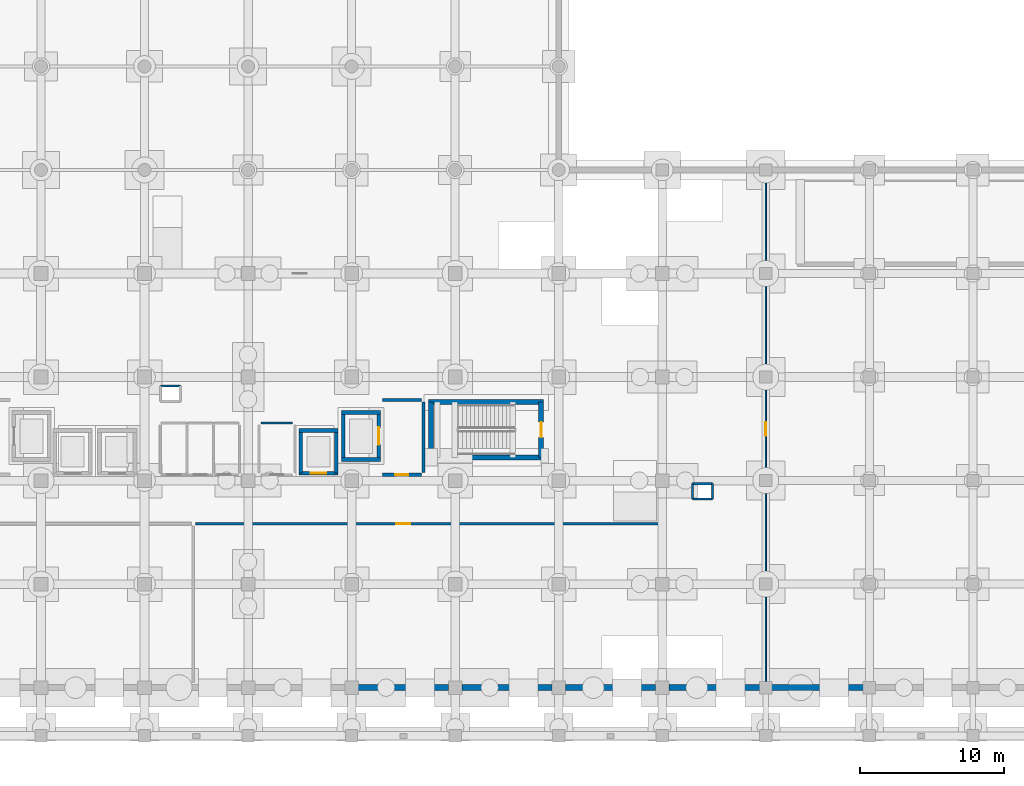
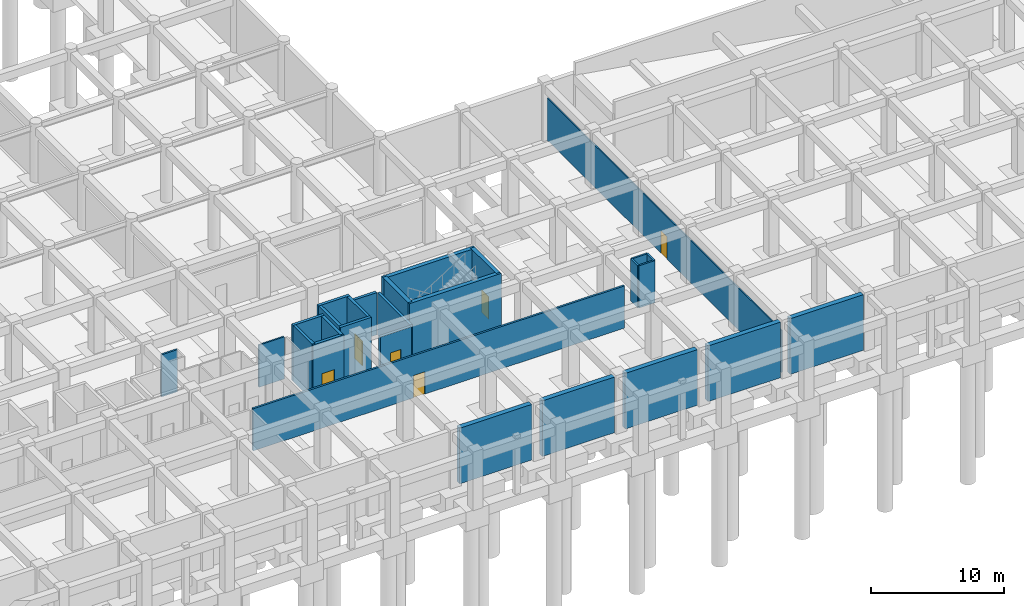
# One storey, part 15 of 26: 28 walls, 6 doors, 6 openings.
"""IFC4 building model written with IfcOpenShell, lengths in metres."""

from ifc_helpers import new_model, si_unit, direction, frame, frame_2d, origin, place, context, subcontext, project, spatial, rectangle, extrude, material, layer, layer_set, type_object, element, fill, save


model = new_model("IFC4")

# Units and contexts
model_context = context("Model", 3, precision=1e-05, world=origin(), true_north=direction((0.0, 1.0)))
body_context = subcontext(model_context, "Body", "Model", "MODEL_VIEW")
ifc_project = project(units=[si_unit("LENGTHUNIT", "METRE"), si_unit("AREAUNIT", "SQUARE_METRE"), si_unit("VOLUMEUNIT", "CUBIC_METRE"), si_unit("PLANEANGLEUNIT", "RADIAN"), si_unit("MASSUNIT", "GRAM", prefix="KILO")], contexts=[model_context])

# Site, building, storey
site_placement = place(None, origin())
site = spatial("IfcSite", under=ifc_project, at=site_placement, CompositionType="ELEMENT")
building_placement = place(site_placement, origin())
building = spatial("IfcBuilding", under=site, at=building_placement, Name="Kazehaya Institute of Natural Sciences", CompositionType="ELEMENT")
storey_placement = place(building_placement, frame((0.0, 0.0, -5.39990234375)))
storey = spatial("IfcBuildingStorey", under=building, at=storey_placement, Name="B1", CompositionType="ELEMENT", Elevation=-5.39990234375)

# Walls
ifc_material_1 = material(Name="Concrete Fc42", Category="concrete")
ifc_layer_1 = layer(ifc_material_1, 0.35009765625, Name="Concrete Fc42", Category="concrete")
ifc_layer_set_1 = layer_set([ifc_layer_1], Name="Concrete Fc42")
wall_type_1 = type_object("IfcWallType", Name="WL-CORE-350", PredefinedType="SHEAR", material=ifc_layer_set_1)
for number, where, z_axis, x_axis, name in (
    (1, (111.155029296875, 22.820068359375, 0.0), (0.0, 0.0, 1.0), (-1.0, 0.0, 0.0), "B1 ST-2 core wall S"),
    (2, (103.14501953125, 26.659912109375, 0.0), (0.0, 0.0, 1.0), (1.0, 0.0, 0.0), "B1 ST-2 core wall N"),
):
    element("IfcWall", number, at=place(storey_placement, frame(where, z_axis=z_axis, x_axis=x_axis)), inside=storey, type_object=wall_type_1, Name=name, PredefinedType="SHEAR", context=body_context, shape_type="SweptSolid", body=[
        extrude(rectangle(XDim=8.010009765625, YDim=0.35009765625, at=frame_2d((4.0048828125, 0.0))), origin(), (0.0, 0.0, 1.0), 5.119873046875),
    ])
wall_1_placement = place(storey_placement, frame((103.320068359375, 22.820068359375, 0.0), z_axis=(0.0, 0.0, 1.0), x_axis=(0.0, 1.0, 0.0)))
element("IfcWall", 3, at=wall_1_placement, inside=storey, type_object=wall_type_1, Name="B1 ST-2 core wall W", PredefinedType="SHEAR", context=body_context, shape_type="SweptSolid", body=[
    extrude(rectangle(XDim=3.83984375, YDim=0.35009765625, at=frame_2d((1.919921875, 0.0))), origin(), (0.0, 0.0, 1.0), 5.119873046875),
])

# Wall, opening, door
wall_2_placement = place(storey_placement, frame((110.97998046875, 26.659912109375, 0.0), z_axis=(0.0, 0.0, 1.0), x_axis=(0.0, -1.0, 0.0)))
wall_2 = element("IfcWall", 4, at=wall_2_placement, inside=storey, type_object=wall_type_1, Name="B1 ST-2 core wall E", PredefinedType="SHEAR", context=body_context, shape_type="SweptSolid", body=[
    extrude(rectangle(XDim=3.83984375, YDim=0.35009765625, at=frame_2d((1.919921875, 0.0))), origin(), (0.0, 0.0, 1.0), 5.119873046875),
])
opening_1_placement = place(wall_2_placement, frame((1.389892578125, 0.0, 0.0)))
opening_1 = element("IfcOpeningElement", 5, at=opening_1_placement, cuts=wall_2, Name="Opening D-ST-012", PredefinedType="OPENING", context=body_context, shape_type="SweptSolid", body=[
    extrude(rectangle(XDim=1.06005859375, YDim=2.06005859375, at=frame_2d((0.530029296875, 1.030029296875))), frame((0.0, 0.18505859375, 0.0), z_axis=(0.0, -1.0, 0.0), x_axis=(1.0, 0.0, 0.0)), (0.0, 0.0, 1.0), 0.3701171875),
])
ifc_material_2 = material(Name="Fire-rated steel acoustic door", Category="steel")
door_type_1 = type_object("IfcDoorType", Name="DT-FD-13", OperationType="NOTDEFINED", PredefinedType="DOOR", material=ifc_material_2)
door_1_placement = place(opening_1_placement, origin())
door_1 = element("IfcDoor", 6, at=door_1_placement, inside=storey, type_object=door_type_1, Name="B1 ST-2 stair enclosure door D-ST-012", OperationType="SINGLE_SWING_RIGHT", OverallHeight=2.06005859375, OverallWidth=1.06005859375, PredefinedType="DOOR", context=body_context, shape_type="SweptSolid", body=[
    extrude(rectangle(XDim=1.06005859375, YDim=2.06005859375, at=frame_2d((0.530029296875, 1.030029296875))), frame((0.0, 0.02490234375, 0.0), z_axis=(0.0, -1.0, 0.0), x_axis=(1.0, 0.0, 0.0)), (0.0, 0.0, 1.0), 0.050048828125),
])
fill(opening_1, door_1)

ifc_material_3 = material(Name="Concrete Fc36", Category="concrete")
ifc_layer_2 = layer(ifc_material_3, 0.22998046875, Name="Concrete Fc36", Category="concrete")
ifc_layer_set_2 = layer_set([ifc_layer_2], Name="Concrete Fc36")
wall_type_2 = type_object("IfcWallType", Name="WL-FFL-230", PredefinedType="PARTITIONING", material=ifc_layer_set_2)
wall_3_placement = place(storey_placement, frame((102.64990234375, 21.60009765625, 0.0), z_axis=(0.0, 0.0, 1.0), x_axis=(-1.0, 0.0, 0.0)))
wall_3 = element("IfcWall", 7, at=wall_3_placement, inside=storey, type_object=wall_type_2, Name="B1 East Firefighting Lift Lobby partition IW-B1-0004", PredefinedType="PARTITIONING", context=body_context, shape_type="SweptSolid", body=[
    extrude(rectangle(XDim=2.699951171875, YDim=0.22998046875, at=frame_2d((1.35009765625, 0.0))), origin(), (0.0, 0.0, 1.0), 3.8798828125),
])
opening_2_placement = place(wall_3_placement, frame((0.89990234375, 0.0, 0.0)))
opening_2 = element("IfcOpeningElement", 8, at=opening_2_placement, cuts=wall_3, Name="Opening D-B1-0039", PredefinedType="OPENING", context=body_context, shape_type="SweptSolid", body=[
    extrude(rectangle(XDim=0.89990234375, YDim=2.1201171875, at=frame_2d((0.449951171875, 1.06005859375))), frame((0.0, 0.125, 0.0), z_axis=(0.0, -1.0, 0.0), x_axis=(1.0, 0.0, 0.0)), (0.0, 0.0, 1.0), 0.25),
])
door_type_2 = type_object("IfcDoorType", Name="DT-FD-02", OperationType="NOTDEFINED", PredefinedType="DOOR", material=ifc_material_2)
door_2_placement = place(opening_2_placement, origin())
door_2 = element("IfcDoor", 9, at=door_2_placement, inside=storey, type_object=door_type_2, Name="B1 East Firefighting Lift Lobby door D-B1-0039", OperationType="SINGLE_SWING_LEFT", OverallHeight=2.1201171875, OverallWidth=0.89990234375, PredefinedType="DOOR", context=body_context, shape_type="SweptSolid", body=[
    extrude(rectangle(XDim=0.89990234375, YDim=2.1201171875, at=frame_2d((0.449951171875, 1.06005859375))), frame((0.0, 0.02490234375, 0.0), z_axis=(0.0, -1.0, 0.0), x_axis=(1.0, 0.0, 0.0)), (0.0, 0.0, 1.0), 0.050048828125),
])
fill(opening_2, door_2)

# Walls
wall_4_placement = place(storey_placement, frame((99.949951171875, 26.800048828125, 0.0), z_axis=(0.0, 0.0, 1.0), x_axis=(1.0, 0.0, 0.0)))
element("IfcWall", 10, at=wall_4_placement, inside=storey, type_object=wall_type_2, Name="B1 East Firefighting Lift Lobby partition IW-B1-0005", PredefinedType="PARTITIONING", context=body_context, shape_type="SweptSolid", body=[
    extrude(rectangle(XDim=2.699951171875, YDim=0.22998046875, at=frame_2d((1.35009765625, 0.0))), origin(), (0.0, 0.0, 1.0), 3.8798828125),
])
wall_5_placement = place(storey_placement, frame((102.800048828125, 26.64990234375, 0.0), z_axis=(0.0, 0.0, 1.0), x_axis=(0.0, -1.0, 0.0)))
element("IfcWall", 11, at=wall_5_placement, inside=storey, type_object=wall_type_2, Name="B1 East Firefighting Lift Lobby partition IW-B1-0006", PredefinedType="PARTITIONING", context=body_context, shape_type="SweptSolid", body=[
    extrude(rectangle(XDim=4.89990234375, YDim=0.22998046875, at=frame_2d((2.449951171875, 0.0))), origin(), (0.0, 0.0, 1.0), 3.8798828125),
])

# Wall, opening, door
ifc_material_4 = material(Name="Lightweight chase partition")
ifc_layer_3 = layer(ifc_material_4, 0.10009765625, Name="Lightweight chase partition")
ifc_layer_set_3 = layer_set([ifc_layer_3], Name="Lightweight chase partition")
wall_type_3 = type_object("IfcWallType", Name="WL-PART-100", PredefinedType="PARTITIONING", material=ifc_layer_set_3)
wall_6_placement = place(storey_placement, frame((126.60009765625, 7.14990234375, 0.0), z_axis=(0.0, 0.0, 1.0), x_axis=(0.0, 1.0, 0.0)))
wall_6 = element("IfcWall", 12, at=wall_6_placement, inside=storey, type_object=wall_type_3, Name="B1 Basement Car Park partition IW-B1-0031", PredefinedType="PARTITIONING", context=body_context, shape_type="SweptSolid", body=[
    extrude(rectangle(XDim=35.300048828125, YDim=0.10009765625, at=frame_2d((17.64990234375, 0.0))), origin(), (0.0, 0.0, 1.0), 3.8798828125),
])
opening_3_placement = place(wall_6_placement, frame((17.18505859375, 0.0, 0.0)))
opening_3 = element("IfcOpeningElement", 13, at=opening_3_placement, cuts=wall_6, Name="Opening D-B1-0051", PredefinedType="OPENING", context=body_context, shape_type="SweptSolid", body=[
    extrude(rectangle(XDim=0.929931640625, YDim=2.050048828125, at=frame_2d((0.46484375, 1.02490234375))), frame((0.0, 0.06005859375, 0.0), z_axis=(0.0, -1.0, 0.0), x_axis=(1.0, 0.0, 0.0)), (0.0, 0.0, 1.0), 0.1201171875),
])
ifc_material_5 = material(Name="Flush timber and aluminium laboratory door", Category="wood")
door_type_3 = type_object("IfcDoorType", Name="DT-INT-05", OperationType="NOTDEFINED", PredefinedType="DOOR", material=ifc_material_5)
door_3_placement = place(opening_3_placement, origin())
door_3 = element("IfcDoor", 14, at=door_3_placement, inside=storey, type_object=door_type_3, Name="B1 Basement Car Park door D-B1-0051", OperationType="SINGLE_SWING_LEFT", OverallHeight=2.050048828125, OverallWidth=0.929931640625, PredefinedType="DOOR", context=body_context, shape_type="SweptSolid", body=[
    extrude(rectangle(XDim=0.929931640625, YDim=2.050048828125, at=frame_2d((0.46484375, 1.02490234375))), frame((0.0, 0.02490234375, 0.0), z_axis=(0.0, -1.0, 0.0), x_axis=(1.0, 0.0, 0.0)), (0.0, 0.0, 1.0), 0.050048828125),
])
fill(opening_3, door_3)

# Wall
ifc_material_6 = material(Name="Gypsum partition", Category="gypsum")
ifc_layer_4 = layer(ifc_material_6, 0.139892578125, Name="Gypsum partition", Category="gypsum")
ifc_layer_set_4 = layer_set([ifc_layer_4], Name="Gypsum partition")
wall_type_4 = type_object("IfcWallType", Name="WL-PART-140", PredefinedType="PARTITIONING", material=ifc_layer_set_4)
wall_7_placement = place(storey_placement, frame((91.5, 25.199951171875, 0.0), z_axis=(0.0, 0.0, 1.0), x_axis=(1.0, 0.0, 0.0)))
element("IfcWall", 15, at=wall_7_placement, inside=storey, type_object=wall_type_4, Name="B1 Ostomate WC partition IW-B1-0018", PredefinedType="PARTITIONING", context=body_context, shape_type="SweptSolid", body=[
    extrude(rectangle(XDim=2.199951171875, YDim=0.139892578125, at=frame_2d((1.10009765625, 0.0))), origin(), (0.0, 0.0, 1.0), 3.8798828125),
])

# Wall, opening, door
ifc_material_7 = material(Name="Cleanroom flush modular partition")
ifc_layer_5 = layer(ifc_material_7, 0.169921875, Name="Cleanroom flush modular partition")
ifc_layer_set_5 = layer_set([ifc_layer_5], Name="Cleanroom flush modular partition")
wall_type_5 = type_object("IfcWallType", Name="WL-PART-170", PredefinedType="PARTITIONING", material=ifc_layer_set_5)
wall_8_placement = place(storey_placement, frame((86.949951171875, 18.199951171875, 0.0), z_axis=(0.0, 0.0, 1.0), x_axis=(1.0, 0.0, 0.0)))
wall_8 = element("IfcWall", 16, at=wall_8_placement, inside=storey, type_object=wall_type_5, Name="B1 Electrical Substation and Generator Plant Room partition IW-B1-0027", PredefinedType="PARTITIONING", context=body_context, shape_type="SweptSolid", body=[
    extrude(rectangle(XDim=32.300048828125, YDim=0.169921875, at=frame_2d((16.14990234375, 0.0))), origin(), (0.0, 0.0, 1.0), 3.8798828125),
])
opening_4_placement = place(wall_8_placement, frame((13.9599609375, 0.0, 0.0)))
opening_4 = element("IfcOpeningElement", 17, at=opening_4_placement, cuts=wall_8, Name="Opening D-B1-0048", PredefinedType="OPENING", context=body_context, shape_type="SweptSolid", body=[
    extrude(rectangle(XDim=0.97998046875, YDim=2.06005859375, at=frame_2d((0.489990234375, 1.030029296875))), frame((0.0, 0.094970703125, 0.0), z_axis=(0.0, -1.0, 0.0), x_axis=(1.0, 0.0, 0.0)), (0.0, 0.0, 1.0), 0.18994140625),
])
door_type_4 = type_object("IfcDoorType", Name="DT-FD-07", OperationType="NOTDEFINED", PredefinedType="DOOR", material=ifc_material_2)
door_4_placement = place(opening_4_placement, origin())
door_4 = element("IfcDoor", 18, at=door_4_placement, inside=storey, type_object=door_type_4, Name="B1 Electrical Substation and Generator Plant Room door D-B1-0048", OperationType="SINGLE_SWING_RIGHT", OverallHeight=2.06005859375, OverallWidth=0.97998046875, PredefinedType="DOOR", context=body_context, shape_type="SweptSolid", body=[
    extrude(rectangle(XDim=0.97998046875, YDim=2.06005859375, at=frame_2d((0.489990234375, 1.030029296875))), frame((0.0, 0.02490234375, 0.0), z_axis=(0.0, -1.0, 0.0), x_axis=(1.0, 0.0, 0.0)), (0.0, 0.0, 1.0), 0.050048828125),
])
fill(opening_4, door_4)

# Walls
ifc_layer_6 = layer(ifc_material_1, 0.419921875, Name="Concrete Fc42", Category="concrete")
ifc_layer_set_6 = layer_set([ifc_layer_6], Name="Concrete Fc42")
wall_type_6 = type_object("IfcWallType", Name="WL-RET-420", PredefinedType="USERDEFINED", material=ifc_layer_set_6)
wall_9_placement = place(storey_placement, frame((133.389892578125, 6.800048828125, 0.0), z_axis=(0.0, 0.0, 1.0), x_axis=(-1.0, 0.0, 0.0)))
element("IfcWall", 19, at=wall_9_placement, inside=storey, type_object=wall_type_6, Name="B1 exterior wall EW-B1-0006", ObjectType="RETAININGWALL", PredefinedType="USERDEFINED", context=body_context, shape_type="SweptSolid", body=[
    extrude(rectangle(XDim=6.3798828125, YDim=0.419921875, at=frame_2d((3.18994140625, 0.0))), origin(), (0.0, 0.0, 1.0), 5.119873046875),
])
wall_10_placement = place(storey_placement, frame((126.18994140625, 6.800048828125, 0.0), z_axis=(0.0, 0.0, 1.0), x_axis=(-1.0, 0.0, 0.0)))
element("IfcWall", 20, at=wall_10_placement, inside=storey, type_object=wall_type_6, Name="B1 exterior wall EW-B1-0007", ObjectType="RETAININGWALL", PredefinedType="USERDEFINED", context=body_context, shape_type="SweptSolid", body=[
    extrude(rectangle(XDim=6.329833984375, YDim=0.419921875, at=frame_2d((3.1650390625, 0.0))), origin(), (0.0, 0.0, 1.0), 5.119873046875),
])
for number, where, z_axis, x_axis, name in (
    (21, (118.93994140625, 6.800048828125, 0.0), (0.0, 0.0, 1.0), (-1.0, 0.0, 0.0), "B1 exterior wall EW-B1-0008"),
    (22, (111.739990234375, 6.800048828125, 0.0), (0.0, 0.0, 1.0), (-1.0, 0.0, 0.0), "B1 exterior wall EW-B1-0009"),
    (23, (104.5400390625, 6.800048828125, 0.0), (0.0, 0.0, 1.0), (-1.0, 0.0, 0.0), "B1 exterior wall EW-B1-0010"),
):
    element("IfcWall", number, at=place(storey_placement, frame(where, z_axis=z_axis, x_axis=x_axis)), inside=storey, type_object=wall_type_6, Name=name, ObjectType="RETAININGWALL", PredefinedType="USERDEFINED", context=body_context, shape_type="SweptSolid", body=[
        extrude(rectangle(XDim=6.280029296875, YDim=0.419921875, at=frame_2d((3.14013671875, 0.0))), origin(), (0.0, 0.0, 1.0), 5.119873046875),
    ])
ifc_layer_7 = layer(ifc_material_3, 0.14990234375, Name="Concrete Fc36", Category="concrete")
ifc_layer_set_7 = layer_set([ifc_layer_7], Name="Concrete Fc36")
wall_type_7 = type_object("IfcWallType", Name="WL-RISER-150", PredefinedType="PARTITIONING", material=ifc_layer_set_7)
for number, where, z_axis, x_axis, name in (
    (24, (84.514892578125, 27.784912109375, 0.0), (0.0, 0.0, 1.0), (1.0, 0.0, 0.0), "B1 fume exhaust riser shaft wall 3"),
    (25, (122.885009765625, 19.9150390625, 0.0), (0.0, 0.0, 1.0), (-1.0, 0.0, 0.0), "B1 fume exhaust riser shaft wall 4"),
    (26, (121.514892578125, 20.985107421875, 0.0), (0.0, 0.0, 1.0), (1.0, 0.0, 0.0), "B1 fume exhaust riser shaft wall 4"),
):
    element("IfcWall", number, at=place(storey_placement, frame(where, z_axis=z_axis, x_axis=x_axis)), inside=storey, type_object=wall_type_7, Name=name, PredefinedType="PARTITIONING", context=body_context, shape_type="SweptSolid", body=[
        extrude(rectangle(XDim=1.3701171875, YDim=0.14990234375, at=frame_2d((0.68505859375, 0.0))), origin(), (0.0, 0.0, 1.0), 3.8798828125),
    ])
for number, where, z_axis, x_axis, name in (
    (27, (121.514892578125, 19.9150390625, 0.0), (0.0, 0.0, 1.0), (0.0, 1.0, 0.0), "B1 fume exhaust riser shaft wall 4"),
    (28, (122.885009765625, 20.985107421875, 0.0), (0.0, 0.0, 1.0), (0.0, -1.0, 0.0), "B1 fume exhaust riser shaft wall 4"),
):
    element("IfcWall", number, at=place(storey_placement, frame(where, z_axis=z_axis, x_axis=x_axis)), inside=storey, type_object=wall_type_7, Name=name, PredefinedType="PARTITIONING", context=body_context, shape_type="SweptSolid", body=[
        extrude(rectangle(XDim=1.070068359375, YDim=0.14990234375, at=frame_2d((0.53515625, 0.0))), origin(), (0.0, 0.0, 1.0), 3.8798828125),
    ])
ifc_layer_8 = layer(ifc_material_1, 0.25, Name="Concrete Fc42", Category="concrete")
ifc_layer_set_8 = layer_set([ifc_layer_8], Name="Concrete Fc42")
wall_type_8 = type_object("IfcWallType", Name="WL-SHAFT-250", PredefinedType="SHEAR", material=ifc_layer_set_8)
for number, where, z_axis, x_axis, name in (
    (29, (99.81005859375, 22.6650390625, 0.0), (0.0, 0.0, 1.0), (-1.0, 0.0, 0.0), "B1 EL08 lift shaft wall south"),
    (30, (97.090087890625, 25.93505859375, 0.0), (0.0, 0.0, 1.0), (1.0, 0.0, 0.0), "B1 EL08 lift shaft wall north"),
):
    element("IfcWall", number, at=place(storey_placement, frame(where, z_axis=z_axis, x_axis=x_axis)), inside=storey, type_object=wall_type_8, Name=name, PredefinedType="SHEAR", context=body_context, shape_type="SweptSolid", body=[
        extrude(rectangle(XDim=2.719970703125, YDim=0.25, at=frame_2d((1.35986328125, 0.0))), origin(), (0.0, 0.0, 1.0), 5.119873046875),
    ])
wall_11_placement = place(storey_placement, frame((97.215087890625, 22.6650390625, 0.0), z_axis=(0.0, 0.0, 1.0), x_axis=(0.0, 1.0, 0.0)))
element("IfcWall", 31, at=wall_11_placement, inside=storey, type_object=wall_type_8, Name="B1 EL08 lift shaft wall west", PredefinedType="SHEAR", context=body_context, shape_type="SweptSolid", body=[
    extrude(rectangle(XDim=3.27001953125, YDim=0.25, at=frame_2d((1.635009765625, 0.0))), origin(), (0.0, 0.0, 1.0), 5.119873046875),
])

# Wall, opening, door
wall_12_placement = place(storey_placement, frame((99.68505859375, 25.93505859375, 0.0), z_axis=(0.0, 0.0, 1.0), x_axis=(0.0, -1.0, 0.0)))
wall_12 = element("IfcWall", 32, at=wall_12_placement, inside=storey, type_object=wall_type_8, Name="B1 EL08 lift shaft wall east", PredefinedType="SHEAR", context=body_context, shape_type="SweptSolid", body=[
    extrude(rectangle(XDim=3.27001953125, YDim=0.25, at=frame_2d((1.635009765625, 0.0))), origin(), (0.0, 0.0, 1.0), 5.119873046875),
])
opening_5_placement = place(wall_12_placement, frame((1.034912109375, 0.0, 0.0)))
opening_5 = element("IfcOpeningElement", 33, at=opening_5_placement, cuts=wall_12, Name="Opening LD-12", PredefinedType="OPENING", context=body_context, shape_type="SweptSolid", body=[
    extrude(rectangle(XDim=1.199951171875, YDim=2.25, at=frame_2d((0.60009765625, 1.125))), frame((0.0, 0.135009765625, 0.0), z_axis=(0.0, -1.0, 0.0), x_axis=(1.0, 0.0, 0.0)), (0.0, 0.0, 1.0), 0.27001953125),
])
ifc_material_8 = material(Name="Stainless-steel emergency lift landing door", Category="steel")
door_type_5 = type_object("IfcDoorType", Name="DT-LD-1200x2250", OperationType="SLIDING_TO_LEFT", PredefinedType="DOOR", material=ifc_material_8)
door_5_placement = place(opening_5_placement, origin())
door_5 = element("IfcDoor", 34, at=door_5_placement, inside=storey, type_object=door_type_5, Name="B1 EL08 sliding landing door LD-12", OperationType="SLIDING_TO_LEFT", OverallHeight=2.25, OverallWidth=1.199951171875, PredefinedType="DOOR", context=body_context, shape_type="SweptSolid", body=[
    extrude(rectangle(XDim=1.199951171875, YDim=2.25, at=frame_2d((0.60009765625, 1.125))), frame((0.0, 0.02490234375, 0.0), z_axis=(0.0, -1.0, 0.0), x_axis=(1.0, 0.0, 0.0)), (0.0, 0.0, 1.0), 0.050048828125),
])
fill(opening_5, door_5)

wall_13_placement = place(storey_placement, frame((96.860107421875, 21.715087890625, 0.0), z_axis=(0.0, 0.0, 1.0), x_axis=(-1.0, 0.0, 0.0)))
wall_13 = element("IfcWall", 35, at=wall_13_placement, inside=storey, type_object=wall_type_8, Name="B1 EL03 lift shaft wall south", PredefinedType="SHEAR", context=body_context, shape_type="SweptSolid", body=[
    extrude(rectangle(XDim=2.72021484375, YDim=0.25, at=frame_2d((1.360107421875, 0.0))), origin(), (0.0, 0.0, 1.0), 5.119873046875),
])
opening_6_placement = place(wall_13_placement, frame((0.81005859375, 0.0, 0.0)))
opening_6 = element("IfcOpeningElement", 36, at=opening_6_placement, cuts=wall_13, Name="Opening LD-45", PredefinedType="OPENING", context=body_context, shape_type="SweptSolid", body=[
    extrude(rectangle(XDim=1.10009765625, YDim=2.199951171875, at=frame_2d((0.550048828125, 1.10009765625))), frame((0.0, 0.135009765625, 0.0), z_axis=(0.0, -1.0, 0.0), x_axis=(1.0, 0.0, 0.0)), (0.0, 0.0, 1.0), 0.27001953125),
])
ifc_material_9 = material(Name="Stainless-steel sliding landing door", Category="steel")
door_type_6 = type_object("IfcDoorType", Name="DT-LD-1100x2200", OperationType="SLIDING_TO_LEFT", PredefinedType="DOOR", material=ifc_material_9)
door_6_placement = place(opening_6_placement, origin())
door_6 = element("IfcDoor", 37, at=door_6_placement, inside=storey, type_object=door_type_6, Name="B1 EL03 sliding landing door LD-45", OperationType="SLIDING_TO_LEFT", OverallHeight=2.199951171875, OverallWidth=1.10009765625, PredefinedType="DOOR", context=body_context, shape_type="SweptSolid", body=[
    extrude(rectangle(XDim=1.10009765625, YDim=2.199951171875, at=frame_2d((0.550048828125, 1.10009765625))), frame((0.0, 0.02490234375, 0.0), z_axis=(0.0, -1.0, 0.0), x_axis=(1.0, 0.0, 0.0)), (0.0, 0.0, 1.0), 0.050048828125),
])
fill(opening_6, door_6)

# Walls
wall_14_placement = place(storey_placement, frame((94.139892578125, 24.68505859375, 0.0), z_axis=(0.0, 0.0, 1.0), x_axis=(1.0, 0.0, 0.0)))
element("IfcWall", 38, at=wall_14_placement, inside=storey, type_object=wall_type_8, Name="B1 EL03 lift shaft wall north", PredefinedType="SHEAR", context=body_context, shape_type="SweptSolid", body=[
    extrude(rectangle(XDim=2.72021484375, YDim=0.25, at=frame_2d((1.360107421875, 0.0))), origin(), (0.0, 0.0, 1.0), 5.119873046875),
])
for number, where, z_axis, x_axis, name in (
    (39, (94.264892578125, 21.715087890625, 0.0), (0.0, 0.0, 1.0), (0.0, 1.0, 0.0), "B1 EL03 lift shaft wall west"),
    (40, (96.735107421875, 24.68505859375, 0.0), (0.0, 0.0, 1.0), (0.0, -1.0, 0.0), "B1 EL03 lift shaft wall east"),
):
    element("IfcWall", number, at=place(storey_placement, frame(where, z_axis=z_axis, x_axis=x_axis)), inside=storey, type_object=wall_type_8, Name=name, PredefinedType="SHEAR", context=body_context, shape_type="SweptSolid", body=[
        extrude(rectangle(XDim=2.969970703125, YDim=0.25, at=frame_2d((1.48486328125, 0.0))), origin(), (0.0, 0.0, 1.0), 5.119873046875),
    ])

save(model, "model.ifc")
